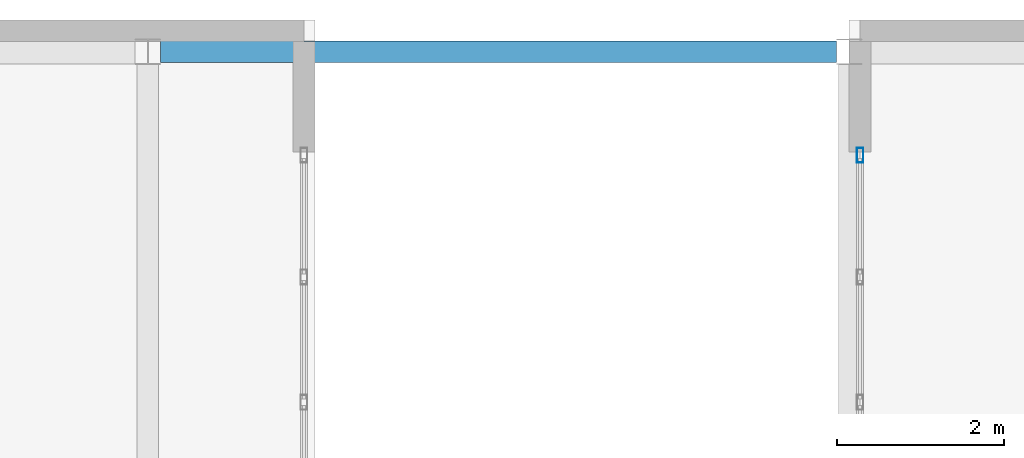
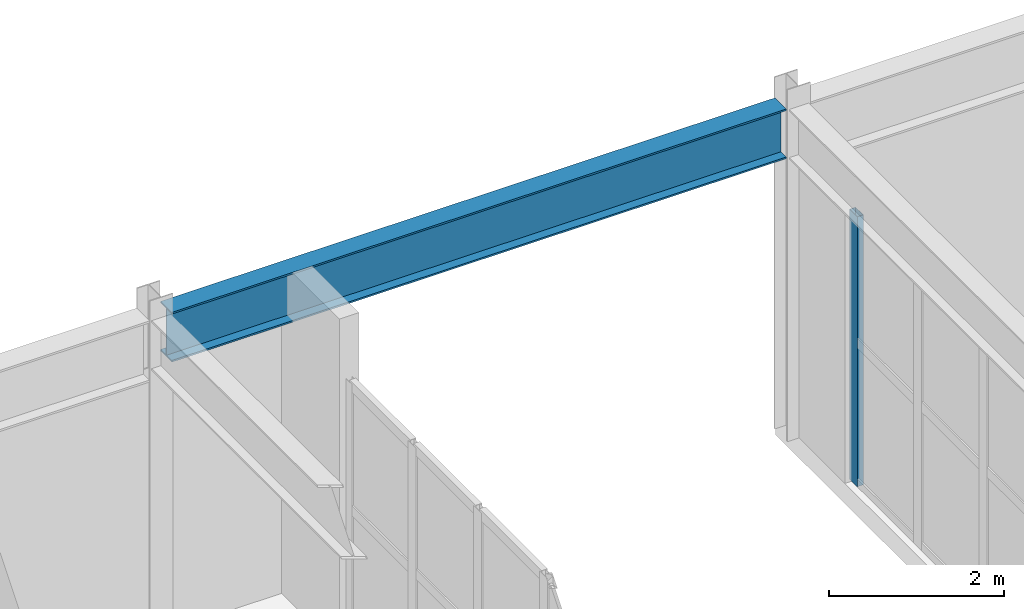
# One storey, part 6 of 9: 1 beam, 1 member, 1 element without a shape of its own.
"""IFC4 building model written with IfcOpenShell, lengths in metres."""

from ifc_helpers import new_model, si_unit, direction, frame, origin, origin_2d, place, context, subcontext, project, spatial, hollow_rectangle, i_section, extrude, material, layer, layer_set, material_profile, profile_set, type_object, element, aggregate, save


model = new_model("IFC4")

# Units and contexts
model_context = context("Model", 3, precision=1e-05, world=origin(), true_north=direction((0.0, 1.0)))
body_context = subcontext(model_context, "Body", "Model", "MODEL_VIEW")
ifc_project = project(units=[si_unit("LENGTHUNIT", "METRE"), si_unit("AREAUNIT", "SQUARE_METRE"), si_unit("VOLUMEUNIT", "CUBIC_METRE"), si_unit("PLANEANGLEUNIT", "RADIAN"), si_unit("MASSUNIT", "GRAM", prefix="KILO")], contexts=[model_context])

# Site, building, storey
site_placement = place(None, origin())
site = spatial("IfcSite", under=ifc_project, at=site_placement, CompositionType="ELEMENT")
building_placement = place(site_placement, origin())
building = spatial("IfcBuilding", under=site, at=building_placement, Name="Solanera Arch Residences", CompositionType="ELEMENT")
storey_placement = place(building_placement, frame((0.0, 0.0, 292.780029296875)))
storey = spatial("IfcBuildingStorey", under=building, at=storey_placement, Name="L83", CompositionType="ELEMENT", Elevation=292.780029296875)

# Curtain wall, member
ifc_material_1 = material(Name="Anodised Aluminium Alloy 6063-T6", Category="aluminium")
ifc_layer = layer(ifc_material_1, 0.179931640625)
ifc_layer_set = layer_set([ifc_layer], Name="Anodised Aluminium Alloy 6063-T6")
curtain_wall_type = type_object("IfcCurtainWallType", Name="CW-6 Split-Top Crown Lantern Curtain Wall", PredefinedType="USERDEFINED", material=ifc_layer_set)
curtain_wall_placement = place(storey_placement, origin())
curtain_wall = element("IfcCurtainWall", 1, at=curtain_wall_placement, inside=storey, type_object=curtain_wall_type, Name="L83 E Crown Cleft Lantern Curtain Wall", ObjectType="CURTAIN_WALL", PredefinedType="USERDEFINED")
ifc_material_2 = material(Name="Anodised Aluminium Alloy 6063-T6", Category="aluminium")
ifc_material_profile_1 = material_profile(ifc_material_2, hollow_rectangle(XDim=0.080078125, YDim=0.179931640625, WallThickness=0.00390625, at=origin_2d()))
ifc_profile_set_1 = profile_set([ifc_material_profile_1], Name="Anodised Aluminium Alloy 6063-T6")
member_type = type_object("IfcMemberType", Name="Curtain Wall Mullion ALU-MUL-80X180", PredefinedType="MULLION", material=ifc_profile_set_1)
member_placement = place(storey_placement, frame((29.330078125, 38.159912109375, 0.0), z_axis=(0.0, 0.0, 1.0), x_axis=(-1.0, 0.0, 0.0)))
member = element("IfcMember", 2, at=member_placement, type_object=member_type, Name="CW-6 mullion 5", PredefinedType="MULLION", context=body_context, shape_type="SweptSolid", body=[
    extrude(hollow_rectangle(XDim=0.080078125, YDim=0.179931640625, WallThickness=0.00390625, at=origin_2d()), origin(), (0.0, 0.0, 1.0), 3.760009765625),
])
aggregate(curtain_wall, [member])

# Beam
ifc_material_3 = material(Name="Steel S355 (ASTM A992 / A572 Grade 50)", Category="steel")
ifc_material_profile_2 = material_profile(ifc_material_3, i_section(OverallWidth=0.256103515625, OverallDepth=0.693115234375, WebThickness=0.014404296875, FlangeThickness=0.023681640625, at=origin_2d()))
ifc_profile_set_2 = profile_set([ifc_material_profile_2], Name="Steel S355 (ASTM A992 / A572 Grade 50)")
beam_type = type_object("IfcBeamType", Name="Primary Beam W690X170", PredefinedType="BEAM", material=ifc_profile_set_2)
beam_placement = place(storey_placement, frame((20.951904296875, 39.39990234375, 4.27294921875), z_axis=(1.0, 0.0, 0.0), x_axis=(0.0, 1.0, 0.0)))
element("IfcBeam", 3, at=beam_placement, inside=storey, type_object=beam_type, Name="BM-L83-CR-TIE-N", PredefinedType="BEAM", context=body_context, shape_type="SweptSolid", body=[
    extrude(i_section(OverallWidth=0.256103515625, OverallDepth=0.693115234375, WebThickness=0.014404296875, FlangeThickness=0.023681640625, at=origin_2d()), origin(), (0.0, 0.0, 1.0), 8.09619140625),
])

save(model, "model.ifc")
